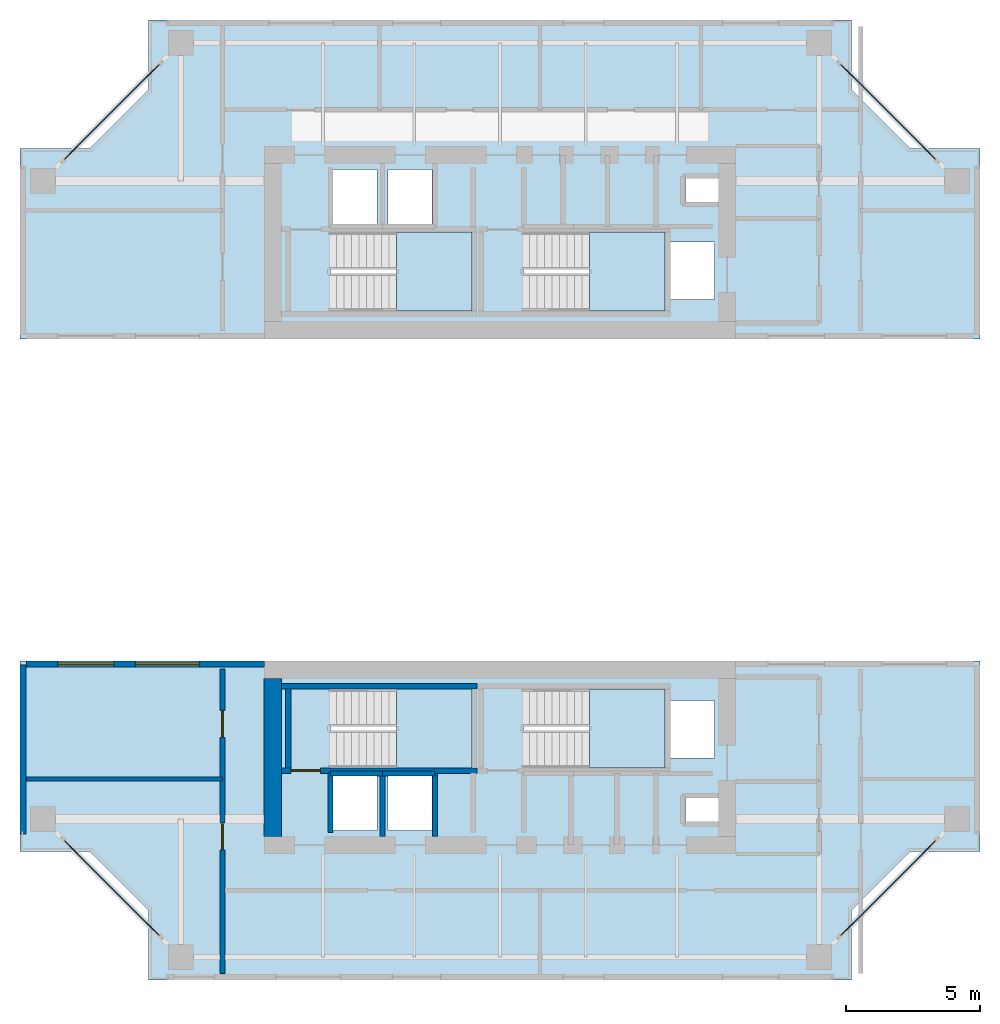
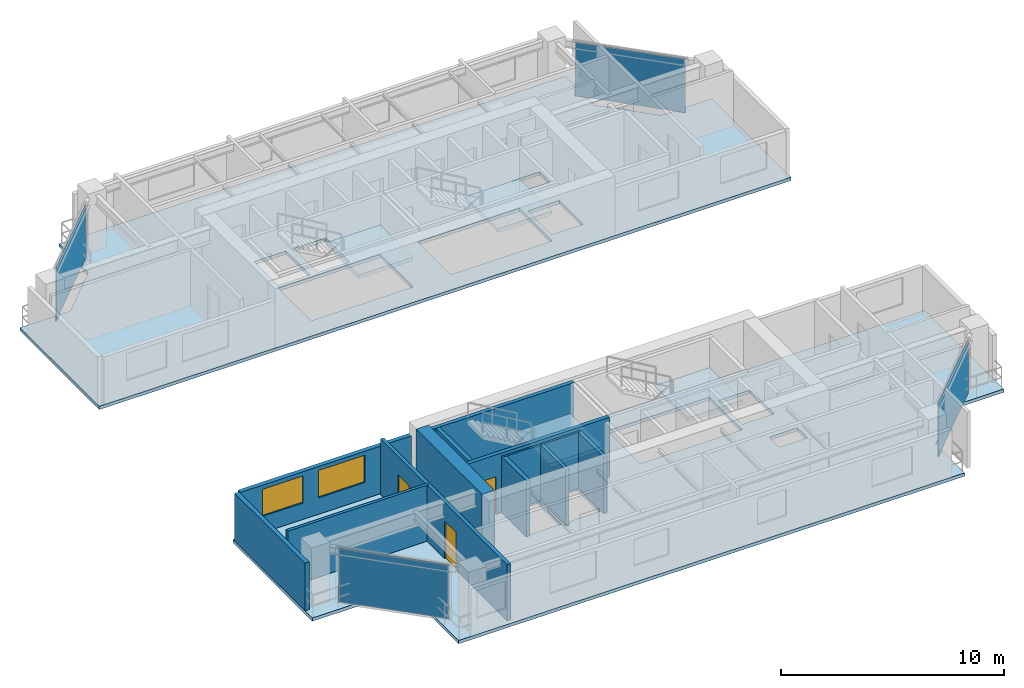
# One storey, part 6 of 12: 13 walls, 6 slabs, 4 plates, 3 doors, 2 windows, 5 openings, 8 elements without a shape of their own.
"""IFC4 building model written with IfcOpenShell, lengths in metres."""

from ifc_helpers import new_model, si_unit, direction, frame, frame_2d, origin, origin_2d, place, context, subcontext, project, spatial, polyline, rectangle, outline, extrude, source, transform, mapped, material, layer, layer_set, type_object, element, fill, aggregate, save


model = new_model("IFC4")

# Units and contexts
model_context = context("Model", 3, precision=1e-05, world=origin(), true_north=direction((0.0, 1.0)))
body_context = subcontext(model_context, "Body", "Model", "MODEL_VIEW")
ifc_project = project(units=[si_unit("LENGTHUNIT", "METRE"), si_unit("AREAUNIT", "SQUARE_METRE"), si_unit("VOLUMEUNIT", "CUBIC_METRE"), si_unit("PLANEANGLEUNIT", "RADIAN"), si_unit("MASSUNIT", "GRAM", prefix="KILO"), si_unit("THERMODYNAMICTEMPERATUREUNIT", "KELVIN"), si_unit("POWERUNIT", "WATT")], contexts=[model_context])

# Site, building, storey
site_placement = place(None, origin())
site = spatial("IfcSite", under=ifc_project, at=site_placement, CompositionType="ELEMENT")
building_placement = place(site_placement, origin())
building = spatial("IfcBuilding", under=site, at=building_placement, Name="Qiaomeng Ring Towers", CompositionType="ELEMENT")
storey_placement = place(building_placement, frame((0.0, 0.0, 163.25)))
storey = spatial("IfcBuildingStorey", under=building, at=storey_placement, Name="L47", CompositionType="ELEMENT", Elevation=163.25)

# Slabs
ifc_material_1 = material(Name="Concrete C40", Category="concrete")
ifc_layer_1 = layer(ifc_material_1, 0.179931640625, Name="Concrete C40")
ifc_layer_set_1 = layer_set([ifc_layer_1], Name="Concrete C40")
slab_type_1 = type_object("IfcSlabType", Name="STR-SL-180", PredefinedType="FLOOR", material=ifc_layer_set_1)
slab_1_placement = place(storey_placement, frame((0.0, 0.0, -0.179931640625)))
element("IfcSlab", 1, at=slab_1_placement, inside=storey, type_object=slab_type_1, Name="L47 Tower 1 North Portal Wing Slab", PredefinedType="FLOOR", context=body_context, shape_type="SweptSolid", body=[
    extrude(outline(polyline([(1.10009765625, 36.10009765625), (3.699951171875, 36.10009765625), (5.89990234375, 38.300048828125), (5.89990234375, 40.89990234375), (32.10009765625, 40.89990234375), (32.10009765625, 38.300048828125), (34.300048828125, 36.10009765625), (36.89990234375, 36.10009765625), (36.89990234375, 29.0), (1.10009765625, 29.0), (1.10009765625, 36.10009765625)]), holes=[polyline([(17.949951171875, 30.050048828125), (12.679931640625, 30.050048828125), (12.679931640625, 32.989990234375), (17.949951171875, 32.989990234375), (17.949951171875, 30.050048828125)]), polyline([(19.8798828125, 30.050048828125), (19.8798828125, 32.989990234375), (25.14990234375, 32.989990234375), (25.14990234375, 30.050048828125), (19.8798828125, 30.050048828125)]), polyline([(25.360107421875, 30.47998046875), (25.360107421875, 32.6201171875), (27.0, 32.6201171875), (27.0, 30.47998046875), (25.360107421875, 30.47998046875)]), polyline([(14.419921875, 33.179931640625), (12.780029296875, 33.179931640625), (12.780029296875, 35.320068359375), (14.419921875, 35.320068359375), (14.419921875, 33.179931640625)]), polyline([(14.830078125, 33.179931640625), (14.830078125, 35.320068359375), (16.469970703125, 35.320068359375), (16.469970703125, 33.179931640625), (14.830078125, 33.179931640625)]), polyline([(25.919921875, 34.10009765625), (25.919921875, 35.0), (27.360107421875, 35.0), (27.360107421875, 34.10009765625), (25.919921875, 34.10009765625)])]), origin(), (0.0, 0.0, 1.0), 0.179931640625),
])
slab_2_placement = place(storey_placement, frame((0.0, 0.0, -0.179931640625)))
element("IfcSlab", 2, at=slab_2_placement, inside=storey, type_object=slab_type_1, Name="L47 Tower 1 South Portal Wing Slab", PredefinedType="FLOOR", context=body_context, shape_type="SweptSolid", body=[
    extrude(outline(polyline([(36.89990234375, 9.89990234375), (34.300048828125, 9.89990234375), (32.10009765625, 7.699951171875), (32.10009765625, 5.10009765625), (5.89990234375, 5.10009765625), (5.89990234375, 7.699951171875), (3.699951171875, 9.89990234375), (1.10009765625, 9.89990234375), (1.10009765625, 17.0), (36.89990234375, 17.0), (36.89990234375, 9.89990234375)]), holes=[polyline([(27.360107421875, 11.0), (25.919921875, 11.0), (25.919921875, 11.89990234375), (27.360107421875, 11.89990234375), (27.360107421875, 11.0)]), polyline([(12.780029296875, 10.679931640625), (12.780029296875, 12.820068359375), (14.419921875, 12.820068359375), (14.419921875, 10.679931640625), (12.780029296875, 10.679931640625)]), polyline([(14.830078125, 10.679931640625), (14.830078125, 12.820068359375), (16.469970703125, 12.820068359375), (16.469970703125, 10.679931640625), (14.830078125, 10.679931640625)]), polyline([(27.0, 13.3798828125), (25.360107421875, 13.3798828125), (25.360107421875, 15.52001953125), (27.0, 15.52001953125), (27.0, 13.3798828125)]), polyline([(12.679931640625, 13.010009765625), (12.679931640625, 15.949951171875), (17.949951171875, 15.949951171875), (17.949951171875, 13.010009765625), (12.679931640625, 13.010009765625)]), polyline([(19.8798828125, 13.010009765625), (19.8798828125, 15.949951171875), (25.14990234375, 15.949951171875), (25.14990234375, 13.010009765625), (19.8798828125, 13.010009765625)])]), origin(), (0.0, 0.0, 1.0), 0.179931640625),
])

# Stair, slab
ifc_material_2 = material(Name="Precast concrete C40", Category="concrete")
stair_type = type_object("IfcStairType", Name="ARC-ST-325", PredefinedType="HALF_TURN_STAIR", material=ifc_material_2)
stair_1_placement = place(storey_placement, origin())
stair_1 = element("IfcStair", 3, at=stair_1_placement, inside=storey, type_object=stair_type, Name="L47 Tower 1 North Stair 1", PredefinedType="HALF_TURN_STAIR")
ifc_layer_2 = layer(ifc_material_1, 0.199951171875, Name="Concrete C40")
ifc_layer_set_2 = layer_set([ifc_layer_2], Name="Concrete C40")
slab_type_2 = type_object("IfcSlabType", Name="STR-SL-LANDING", PredefinedType="LANDING", material=ifc_layer_set_2)
slab_3_placement = place(storey_placement, frame((0.0, 0.0, 1.425048828125)))
slab_3 = element("IfcSlab", 4, at=slab_3_placement, type_object=slab_type_2, Name="ST1 landing 1", PredefinedType="LANDING", context=body_context, shape_type="SweptSolid", body=[
    extrude(outline(polyline([(15.139892578125, 30.050048828125), (17.949951171875, 30.050048828125), (17.949951171875, 32.989990234375), (15.139892578125, 32.989990234375), (15.139892578125, 30.050048828125)])), origin(), (0.0, 0.0, 1.0), 0.199951171875),
])
aggregate(stair_1, [slab_3])

stair_2_placement = place(storey_placement, origin())
stair_2 = element("IfcStair", 5, at=stair_2_placement, inside=storey, type_object=stair_type, Name="L47 Tower 1 North Stair 2", PredefinedType="HALF_TURN_STAIR")
slab_4_placement = place(storey_placement, frame((0.0, 0.0, 1.425048828125)))
slab_4 = element("IfcSlab", 6, at=slab_4_placement, type_object=slab_type_2, Name="ST2 landing 1", PredefinedType="LANDING", context=body_context, shape_type="SweptSolid", body=[
    extrude(outline(polyline([(22.340087890625, 30.050048828125), (25.14990234375, 30.050048828125), (25.14990234375, 32.989990234375), (22.340087890625, 32.989990234375), (22.340087890625, 30.050048828125)])), origin(), (0.0, 0.0, 1.0), 0.199951171875),
])
aggregate(stair_2, [slab_4])

stair_3_placement = place(storey_placement, origin())
stair_3 = element("IfcStair", 7, at=stair_3_placement, inside=storey, type_object=stair_type, Name="L47 Tower 1 South Stair 3", PredefinedType="HALF_TURN_STAIR")
slab_5_placement = place(storey_placement, frame((0.0, 0.0, 1.425048828125)))
slab_5 = element("IfcSlab", 8, at=slab_5_placement, type_object=slab_type_2, Name="ST3 landing 1", PredefinedType="LANDING", context=body_context, shape_type="SweptSolid", body=[
    extrude(outline(polyline([(15.139892578125, 13.010009765625), (17.949951171875, 13.010009765625), (17.949951171875, 15.949951171875), (15.139892578125, 15.949951171875), (15.139892578125, 13.010009765625)])), origin(), (0.0, 0.0, 1.0), 0.199951171875),
])
aggregate(stair_3, [slab_5])

stair_4_placement = place(storey_placement, origin())
stair_4 = element("IfcStair", 9, at=stair_4_placement, inside=storey, type_object=stair_type, Name="L47 Tower 1 South Stair 4", PredefinedType="HALF_TURN_STAIR")
slab_6_placement = place(storey_placement, frame((0.0, 0.0, 1.425048828125)))
slab_6 = element("IfcSlab", 10, at=slab_6_placement, type_object=slab_type_2, Name="ST4 landing 1", PredefinedType="LANDING", context=body_context, shape_type="SweptSolid", body=[
    extrude(outline(polyline([(22.340087890625, 13.010009765625), (25.14990234375, 13.010009765625), (25.14990234375, 15.949951171875), (22.340087890625, 15.949951171875), (22.340087890625, 13.010009765625)])), origin(), (0.0, 0.0, 1.0), 0.199951171875),
])
aggregate(stair_4, [slab_6])

# Curtain wall, plate
ifc_material_3 = material(Name="Fluorocarbon dark-grey aluminium", Category="aluminium")
ifc_layer_3 = layer(ifc_material_3, 0.14990234375, Name="Fluorocarbon dark-grey aluminium")
ifc_layer_set_3 = layer_set([ifc_layer_3], Name="Fluorocarbon dark-grey aluminium")
curtain_wall_type = type_object("IfcCurtainWallType", Name="ARC-CW-3", PredefinedType="NOTDEFINED", material=ifc_layer_set_3)
curtain_wall_1_placement = place(storey_placement, origin())
curtain_wall_1 = element("IfcCurtainWall", 11, at=curtain_wall_1_placement, inside=storey, type_object=curtain_wall_type, Name="L47 Curtain Wall CW3", PredefinedType="NOTDEFINED")
ifc_material_4 = material(Name="Low-E dark-grey laminated double glazing", Category="glass")
ifc_layer_4 = layer(ifc_material_4, 0.028076171875, Name="Low-E dark-grey laminated double glazing")
ifc_layer_set_4 = layer_set([ifc_layer_4], Name="Low-E dark-grey laminated double glazing")
plate_type = type_object("IfcPlateType", Name="ARC-CWP-DARK", PredefinedType="CURTAIN_PANEL", material=ifc_layer_set_4)
shared_shape_1 = source(origin(), body_context, "Body", "SweptSolid", [
    extrude(rectangle(XDim=5.120849609375, YDim=0.028076171875, at=origin_2d()), origin(), (0.0, 0.0, 1.0), 2.93994140625),
])
plate_1_placement = place(storey_placement, frame((33.47509765625, 8.52490234375, 0.06494140625), z_axis=(0.0, 0.0, 1.0), x_axis=(0.707106781187, 0.707106781187, 0.0)))
plate_1 = element("IfcPlate", 12, at=plate_1_placement, type_object=plate_type, Name="CW3 panel 1.1", PredefinedType="CURTAIN_PANEL", context=body_context, shape_type="MappedRepresentation", body=[
    mapped(shared_shape_1, transform((0.0, 0.0, 0.0), x_axis=(1.0, 0.0, 0.0), y_axis=(0.0, 1.0, 0.0), z_axis=(0.0, 0.0, 1.0), scale=1.0)),
])
aggregate(curtain_wall_1, [plate_1])

curtain_wall_2_placement = place(storey_placement, origin())
curtain_wall_2 = element("IfcCurtainWall", 13, at=curtain_wall_2_placement, inside=storey, type_object=curtain_wall_type, Name="L47 Curtain Wall CW3", PredefinedType="NOTDEFINED")
plate_2_placement = place(storey_placement, frame((33.47509765625, 37.47509765625, 0.06494140625), z_axis=(0.0, 0.0, 1.0), x_axis=(-0.707106781187, 0.707106781187, 0.0)))
plate_2 = element("IfcPlate", 14, at=plate_2_placement, type_object=plate_type, Name="CW3 panel 1.1", PredefinedType="CURTAIN_PANEL", context=body_context, shape_type="MappedRepresentation", body=[
    mapped(shared_shape_1, transform((0.0, 0.0, 0.0), x_axis=(1.0, 0.0, 0.0), y_axis=(0.0, 1.0, 0.0), z_axis=(0.0, 0.0, 1.0), scale=1.0)),
])
aggregate(curtain_wall_2, [plate_2])

curtain_wall_3_placement = place(storey_placement, origin())
curtain_wall_3 = element("IfcCurtainWall", 15, at=curtain_wall_3_placement, inside=storey, type_object=curtain_wall_type, Name="L47 Curtain Wall CW3", PredefinedType="NOTDEFINED")
plate_3_placement = place(storey_placement, frame((4.52490234375, 37.47509765625, 0.06494140625), z_axis=(0.0, 0.0, 1.0), x_axis=(-0.707106781187, -0.707106781187, 0.0)))
plate_3 = element("IfcPlate", 16, at=plate_3_placement, type_object=plate_type, Name="CW3 panel 1.1", PredefinedType="CURTAIN_PANEL", context=body_context, shape_type="MappedRepresentation", body=[
    mapped(shared_shape_1, transform((0.0, 0.0, 0.0), x_axis=(1.0, 0.0, 0.0), y_axis=(0.0, 1.0, 0.0), z_axis=(0.0, 0.0, 1.0), scale=1.0)),
])
aggregate(curtain_wall_3, [plate_3])

curtain_wall_4_placement = place(storey_placement, origin())
curtain_wall_4 = element("IfcCurtainWall", 17, at=curtain_wall_4_placement, inside=storey, type_object=curtain_wall_type, Name="L47 Curtain Wall CW3", PredefinedType="NOTDEFINED")
plate_4_placement = place(storey_placement, frame((4.52490234375, 8.52490234375, 0.06494140625), z_axis=(0.0, 0.0, 1.0), x_axis=(0.707106781187, -0.707106781187, 0.0)))
plate_4 = element("IfcPlate", 18, at=plate_4_placement, type_object=plate_type, Name="CW3 panel 1.1", PredefinedType="CURTAIN_PANEL", context=body_context, shape_type="MappedRepresentation", body=[
    mapped(shared_shape_1, transform((0.0, 0.0, 0.0), x_axis=(1.0, 0.0, 0.0), y_axis=(0.0, 1.0, 0.0), z_axis=(0.0, 0.0, 1.0), scale=1.0)),
])
aggregate(curtain_wall_4, [plate_4])

# Wall, openings, windows
ifc_layer_5 = layer(ifc_material_2, 0.219970703125, Name="Precast concrete C40")
ifc_layer_set_5 = layer_set([ifc_layer_5], Name="Precast concrete C40")
wall_type_1 = type_object("IfcWallType", Name="ARC-WL-EW2", PredefinedType="STANDARD", material=ifc_layer_set_5)
wall_1_placement = place(storey_placement, frame((1.35009765625, 16.889892578125, 0.0), z_axis=(0.0, 0.0, 1.0), x_axis=(1.0, 0.0, 0.0)))
wall_1 = element("IfcWall", 19, at=wall_1_placement, inside=storey, type_object=wall_type_1, Name="L47 Portal Wing Wall SWING-W", PredefinedType="STANDARD", context=body_context, shape_type="SweptSolid", body=[
    extrude(rectangle(XDim=8.869873046875, YDim=0.219970703125, at=frame_2d((4.43505859375, 0.0))), origin(), (0.0, 0.0, 1.0), 2.610107421875),
])
opening_1_placement = place(wall_1_placement, frame((1.14990234375, 0.0, 0.89990234375)))
opening_1 = element("IfcOpeningElement", 20, at=opening_1_placement, cuts=wall_1, Name="Opening WN4", PredefinedType="OPENING", context=body_context, shape_type="SweptSolid", body=[
    extrude(rectangle(XDim=2.10009765625, YDim=1.47998046875, at=frame_2d((1.050048828125, 0.739990234375))), frame((0.0, 0.119873046875, 0.0), z_axis=(0.0, -1.0, 0.0), x_axis=(1.0, 0.0, 0.0)), (0.0, 0.0, 1.0), 0.239990234375),
])
opening_2_placement = place(wall_1_placement, frame((4.050048828125, 0.0, 0.89990234375)))
opening_2 = element("IfcOpeningElement", 21, at=opening_2_placement, cuts=wall_1, Name="Opening WN6", PredefinedType="OPENING", context=body_context, shape_type="SweptSolid", body=[
    extrude(rectangle(XDim=2.39990234375, YDim=1.5, at=frame_2d((1.199951171875, 0.75))), frame((0.0, 0.119873046875, 0.0), z_axis=(0.0, -1.0, 0.0), x_axis=(1.0, 0.0, 0.0)), (0.0, 0.0, 1.0), 0.239990234375),
])
window_type_1 = type_object("IfcWindowType", Name="ARC-WN-4", PartitioningType="TRIPLE_PANEL_VERTICAL", PredefinedType="WINDOW", material=ifc_material_4)
shared_shape_2 = source(origin(), body_context, "Body", "SweptSolid", [
    extrude(rectangle(XDim=2.10009765625, YDim=1.47998046875, at=frame_2d((1.050048828125, 0.739990234375))), frame((0.0, 0.030029296875, 0.0), z_axis=(0.0, -1.0, 0.0), x_axis=(1.0, 0.0, 0.0)), (0.0, 0.0, 1.0), 0.06005859375),
])
window_1_placement = place(opening_1_placement, origin())
window_1 = element("IfcWindow", 22, at=window_1_placement, inside=storey, type_object=window_type_1, Name="L47 Exterior Window WN4", OverallHeight=1.47998046875, OverallWidth=2.10009765625, PartitioningType="TRIPLE_PANEL_VERTICAL", PredefinedType="WINDOW", context=body_context, shape_type="MappedRepresentation", body=[
    mapped(shared_shape_2, transform((0.0, 0.0, 0.0), x_axis=(1.0, 0.0, 0.0), y_axis=(0.0, 1.0, 0.0), z_axis=(0.0, 0.0, 1.0), scale=1.0)),
])
fill(opening_1, window_1)
window_type_2 = type_object("IfcWindowType", Name="ARC-WN-6", PartitioningType="TRIPLE_PANEL_VERTICAL", PredefinedType="WINDOW", material=ifc_material_4)
shared_shape_3 = source(origin(), body_context, "Body", "SweptSolid", [
    extrude(rectangle(XDim=2.39990234375, YDim=1.5, at=frame_2d((1.199951171875, 0.75))), frame((0.0, 0.030029296875, 0.0), z_axis=(0.0, -1.0, 0.0), x_axis=(1.0, 0.0, 0.0)), (0.0, 0.0, 1.0), 0.06005859375),
])
window_2_placement = place(opening_2_placement, origin())
window_2 = element("IfcWindow", 23, at=window_2_placement, inside=storey, type_object=window_type_2, Name="L47 Exterior Window WN6", OverallHeight=1.5, OverallWidth=2.39990234375, PartitioningType="TRIPLE_PANEL_VERTICAL", PredefinedType="WINDOW", context=body_context, shape_type="MappedRepresentation", body=[
    mapped(shared_shape_3, transform((0.0, 0.0, 0.0), x_axis=(1.0, 0.0, 0.0), y_axis=(0.0, 1.0, 0.0), z_axis=(0.0, 0.0, 1.0), scale=1.0)),
])
fill(opening_2, window_2)

# Walls
wall_2_placement = place(storey_placement, frame((1.2099609375, 10.550048828125, 0.0), z_axis=(0.0, 0.0, 1.0), x_axis=(0.0, 1.0, 0.0)))
element("IfcWall", 24, at=wall_2_placement, inside=storey, type_object=wall_type_1, Name="L47 Portal Wing Side Wall SWING-WL", PredefinedType="STANDARD", context=body_context, shape_type="SweptSolid", body=[
    extrude(rectangle(XDim=6.300048828125, YDim=0.219970703125, at=frame_2d((3.14990234375, 0.0))), origin(), (0.0, 0.0, 1.0), 2.610107421875),
])
ifc_material_5 = material(Name="Autoclaved aerated concrete block", Category="concrete")
ifc_layer_6 = layer(ifc_material_5, 0.199951171875, Name="Autoclaved aerated concrete block")
ifc_layer_set_6 = layer_set([ifc_layer_6], Name="Autoclaved aerated concrete block")
wall_type_2 = type_object("IfcWallType", Name="ARC-WL-PW1", PredefinedType="PARTITIONING", material=ifc_layer_set_6)
wall_3_placement = place(storey_placement, frame((12.679931640625, 10.60009765625, 0.0), z_axis=(0.0, 0.0, 1.0), x_axis=(0.0, 1.0, 0.0)))
element("IfcWall", 25, at=wall_3_placement, inside=storey, type_object=wall_type_2, Name="L47 Interior Wall PW1", PredefinedType="PARTITIONING", context=body_context, shape_type="SweptSolid", body=[
    extrude(rectangle(XDim=2.2099609375, YDim=0.199951171875, at=frame_2d((1.10498046875, 0.0))), origin(), (0.0, 0.0, 1.0), 3.070068359375),
])

# Wall, openings, doors
ifc_layer_7 = layer(ifc_material_5, 0.179931640625, Name="Autoclaved aerated concrete block")
ifc_layer_set_7 = layer_set([ifc_layer_7], Name="Autoclaved aerated concrete block")
wall_type_3 = type_object("IfcWallType", Name="ARC-WL-PW2", PredefinedType="PARTITIONING", material=ifc_layer_set_7)
wall_4_placement = place(storey_placement, frame((8.64990234375, 5.35009765625, 0.0), z_axis=(0.0, 0.0, 1.0), x_axis=(0.0, 1.0, 0.0)))
wall_4 = element("IfcWall", 26, at=wall_4_placement, inside=storey, type_object=wall_type_3, Name="L47 Interior Wall PW2", PredefinedType="PARTITIONING", context=body_context, shape_type="SweptSolid", body=[
    extrude(rectangle(XDim=11.349853515625, YDim=0.179931640625, at=frame_2d((5.6748046875, 0.0))), origin(), (0.0, 0.0, 1.0), 3.070068359375),
])
opening_3_placement = place(wall_4_placement, frame((4.60009765625, 0.0, 0.0)))
opening_3 = element("IfcOpeningElement", 27, at=opening_3_placement, cuts=wall_4, Name="Opening FD4", PredefinedType="OPENING", context=body_context, shape_type="SweptSolid", body=[
    extrude(rectangle(XDim=1.0, YDim=2.050048828125, at=frame_2d((0.5, 1.02490234375))), frame((0.0, 0.099853515625, 0.0), z_axis=(0.0, -1.0, 0.0), x_axis=(1.0, 0.0, 0.0)), (0.0, 0.0, 1.0), 0.199951171875),
])
opening_4_placement = place(wall_4_placement, frame((8.800048828125, 0.0, 0.0)))
opening_4 = element("IfcOpeningElement", 28, at=opening_4_placement, cuts=wall_4, Name="Opening FD4", PredefinedType="OPENING", context=body_context, shape_type="SweptSolid", body=[
    extrude(rectangle(XDim=1.0, YDim=2.050048828125, at=frame_2d((0.5, 1.02490234375))), frame((0.0, 0.099853515625, 0.0), z_axis=(0.0, -1.0, 0.0), x_axis=(1.0, 0.0, 0.0)), (0.0, 0.0, 1.0), 0.199951171875),
])
ifc_material_6 = material(Name="Engineered fire-rated oak timber", Category="wood")
door_type_1 = type_object("IfcDoorType", Name="ARC-DR-FD4", OperationType="NOTDEFINED", PredefinedType="DOOR", material=ifc_material_6)
shared_shape_4 = source(origin(), body_context, "Body", "SweptSolid", [
    extrude(rectangle(XDim=1.0, YDim=2.050048828125, at=frame_2d((0.5, 1.02490234375))), frame((0.0, 0.02490234375, 0.0), z_axis=(0.0, -1.0, 0.0), x_axis=(1.0, 0.0, 0.0)), (0.0, 0.0, 1.0), 0.050048828125),
])
door_1_placement = place(opening_3_placement, origin())
door_1 = element("IfcDoor", 29, at=door_1_placement, inside=storey, type_object=door_type_1, Name="L47 Door FD4", OperationType="SINGLE_SWING_LEFT", OverallHeight=2.050048828125, OverallWidth=1.0, PredefinedType="DOOR", context=body_context, shape_type="MappedRepresentation", body=[
    mapped(shared_shape_4, transform((0.0, 0.0, 0.0), x_axis=(1.0, 0.0, 0.0), y_axis=(0.0, 1.0, 0.0), z_axis=(0.0, 0.0, 1.0), scale=1.0)),
])
fill(opening_3, door_1)
door_2_placement = place(opening_4_placement, origin())
door_2 = element("IfcDoor", 30, at=door_2_placement, inside=storey, type_object=door_type_1, Name="L47 Door FD4", OperationType="SINGLE_SWING_RIGHT", OverallHeight=2.050048828125, OverallWidth=1.0, PredefinedType="DOOR", context=body_context, shape_type="MappedRepresentation", body=[
    mapped(shared_shape_4, transform((0.0, 0.0, 0.0), x_axis=(1.0, 0.0, 0.0), y_axis=(0.0, 1.0, 0.0), z_axis=(0.0, 0.0, 1.0), scale=1.0)),
])
fill(opening_4, door_2)

# Walls
ifc_material_7 = material(Name="Gypsum fireboard steel-stud partition", Category="steel")
ifc_layer_8 = layer(ifc_material_7, 0.14990234375, Name="Gypsum fireboard steel-stud partition")
ifc_layer_set_8 = layer_set([ifc_layer_8], Name="Gypsum fireboard steel-stud partition")
wall_type_4 = type_object("IfcWallType", Name="ARC-WL-PW3", PredefinedType="PARTITIONING", material=ifc_layer_set_8)
wall_5_placement = place(storey_placement, frame((1.35009765625, 12.60009765625, 0.0), z_axis=(0.0, 0.0, 1.0), x_axis=(1.0, 0.0, 0.0)))
element("IfcWall", 31, at=wall_5_placement, inside=storey, type_object=wall_type_4, Name="L47 Interior Wall PW3", PredefinedType="PARTITIONING", context=body_context, shape_type="SweptSolid", body=[
    extrude(rectangle(XDim=7.2998046875, YDim=0.14990234375, at=frame_2d((3.64990234375, 0.0))), origin(), (0.0, 0.0, 1.0), 3.070068359375),
])
ifc_layer_9 = layer(ifc_material_1, 0.199951171875, Name="Concrete C40")
ifc_layer_set_9 = layer_set([ifc_layer_9], Name="Concrete C40")
wall_type_5 = type_object("IfcWallType", Name="STR-WL-STSHAFT", PredefinedType="SHEAR", material=ifc_layer_set_9)
wall_6_placement = place(storey_placement, frame((12.679931640625, 12.800048828125, 0.0), z_axis=(0.0, 0.0, 1.0), x_axis=(1.0, 0.0, 0.0)))
element("IfcWall", 32, at=wall_6_placement, inside=storey, type_object=wall_type_5, Name="L47 Lift LP6 Shaft Back Wall", PredefinedType="SHEAR", context=body_context, shape_type="SweptSolid", body=[
    extrude(rectangle(XDim=1.940185546875, YDim=0.179931640625, at=frame_2d((0.97021484375, 0.0))), origin(), (0.0, 0.0, 1.0), 3.070068359375),
])
wall_7_placement = place(storey_placement, frame((14.6201171875, 10.449951171875, 0.0), z_axis=(0.0, 0.0, 1.0), x_axis=(0.0, 1.0, 0.0)))
element("IfcWall", 33, at=wall_7_placement, inside=storey, type_object=wall_type_5, Name="L47 Lift LP6-LP4 Shaft Divider Wall", PredefinedType="SHEAR", context=body_context, shape_type="SweptSolid", body=[
    extrude(rectangle(XDim=2.35009765625, YDim=0.179931640625, at=frame_2d((1.175048828125, 0.0))), origin(), (0.0, 0.0, 1.0), 3.070068359375),
])
wall_8_placement = place(storey_placement, frame((14.6201171875, 12.800048828125, 0.0), z_axis=(0.0, 0.0, 1.0), x_axis=(1.0, 0.0, 0.0)))
element("IfcWall", 34, at=wall_8_placement, inside=storey, type_object=wall_type_5, Name="L47 Lift LP4 Shaft Back Wall", PredefinedType="SHEAR", context=body_context, shape_type="SweptSolid", body=[
    extrude(rectangle(XDim=1.9599609375, YDim=0.179931640625, at=frame_2d((0.97998046875, 0.0))), origin(), (0.0, 0.0, 1.0), 3.070068359375),
])
wall_9_placement = place(storey_placement, frame((16.580078125, 10.449951171875, 0.0), z_axis=(0.0, 0.0, 1.0), x_axis=(0.0, 1.0, 0.0)))
element("IfcWall", 35, at=wall_9_placement, inside=storey, type_object=wall_type_5, Name="L47 Lift LP4 East Shaft Wall", PredefinedType="SHEAR", context=body_context, shape_type="SweptSolid", body=[
    extrude(rectangle(XDim=2.35009765625, YDim=0.179931640625, at=frame_2d((1.175048828125, 0.0))), origin(), (0.0, 0.0, 1.0), 3.070068359375),
])

# Wall, opening, door
wall_10_placement = place(storey_placement, frame((10.85009765625, 12.909912109375, 0.0), z_axis=(0.0, 0.0, 1.0), x_axis=(1.0, 0.0, 0.0)))
wall_10 = element("IfcWall", 36, at=wall_10_placement, inside=storey, type_object=wall_type_5, Name="L47 Stair ST3 South Shaft Shear Wall", PredefinedType="SHEAR", context=body_context, shape_type="SweptSolid", body=[
    extrude(rectangle(XDim=7.2998046875, YDim=0.199951171875, at=frame_2d((3.64990234375, 0.0))), origin(), (0.0, 0.0, 1.0), 3.25),
])
opening_5_placement = place(wall_10_placement, frame((0.35009765625, 0.0, 0.0)))
opening_5 = element("IfcOpeningElement", 37, at=opening_5_placement, cuts=wall_10, Name="Opening FD3", PredefinedType="OPENING", context=body_context, shape_type="SweptSolid", body=[
    extrude(rectangle(XDim=1.10009765625, YDim=2.050048828125, at=frame_2d((0.550048828125, 1.02490234375))), frame((0.0, 0.10986328125, 0.0), z_axis=(0.0, -1.0, 0.0), x_axis=(1.0, 0.0, 0.0)), (0.0, 0.0, 1.0), 0.219970703125),
])
ifc_material_8 = material(Name="Galvanised steel", Category="steel")
door_type_2 = type_object("IfcDoorType", Name="ARC-DR-FD3", OperationType="NOTDEFINED", PredefinedType="DOOR", material=ifc_material_8)
shared_shape_5 = source(origin(), body_context, "Body", "SweptSolid", [
    extrude(rectangle(XDim=1.10009765625, YDim=2.050048828125, at=frame_2d((0.550048828125, 1.02490234375))), frame((0.0, 0.02490234375, 0.0), z_axis=(0.0, -1.0, 0.0), x_axis=(1.0, 0.0, 0.0)), (0.0, 0.0, 1.0), 0.050048828125),
])
door_3_placement = place(opening_5_placement, frame((1.10009765625, 0.0, 0.0), z_axis=(0.0, 0.0, 1.0), x_axis=(-1.0, 0.0, 0.0)))
door_3 = element("IfcDoor", 38, at=door_3_placement, inside=storey, type_object=door_type_2, Name="L47 Stair ST3 Exit Door", OperationType="SINGLE_SWING_RIGHT", OverallHeight=2.050048828125, OverallWidth=1.10009765625, PredefinedType="DOOR", context=body_context, shape_type="MappedRepresentation", body=[
    mapped(shared_shape_5, transform((0.0, 0.0, 0.0), x_axis=(1.0, 0.0, 0.0), y_axis=(0.0, 1.0, 0.0), z_axis=(0.0, 0.0, 1.0), scale=1.0)),
])
fill(opening_5, door_3)

# Walls
wall_11_placement = place(storey_placement, frame((10.85009765625, 16.050048828125, 0.0), z_axis=(0.0, 0.0, 1.0), x_axis=(1.0, 0.0, 0.0)))
element("IfcWall", 39, at=wall_11_placement, inside=storey, type_object=wall_type_5, Name="L47 Stair ST3 North Shaft Shear Wall", PredefinedType="SHEAR", context=body_context, shape_type="SweptSolid", body=[
    extrude(rectangle(XDim=7.2998046875, YDim=0.199951171875, at=frame_2d((3.64990234375, 0.0))), origin(), (0.0, 0.0, 1.0), 3.25),
])
wall_12_placement = place(storey_placement, frame((11.10009765625, 13.010009765625, 0.0), z_axis=(0.0, 0.0, 1.0), x_axis=(0.0, 1.0, 0.0)))
element("IfcWall", 40, at=wall_12_placement, inside=storey, type_object=wall_type_5, Name="L47 Stair ST3 West Shaft Shear Wall", PredefinedType="SHEAR", context=body_context, shape_type="SweptSolid", body=[
    extrude(rectangle(XDim=2.93994140625, YDim=0.199951171875, at=frame_2d((1.469970703125, 0.0))), origin(), (0.0, 0.0, 1.0), 3.25),
])
ifc_material_9 = material(Name="Concrete C50", Category="concrete")
ifc_layer_10 = layer(ifc_material_9, 0.64990234375, Name="Concrete C50")
ifc_layer_set_10 = layer_set([ifc_layer_10], Name="Concrete C50")
wall_type_6 = type_object("IfcWallType", Name="STR-WL-SW2B", PredefinedType="SHEAR", material=ifc_layer_set_10)
wall_13_placement = place(storey_placement, frame((10.52490234375, 10.449951171875, 0.0), z_axis=(0.0, 0.0, 1.0), x_axis=(0.0, 1.0, 0.0)))
element("IfcWall", 41, at=wall_13_placement, inside=storey, type_object=wall_type_6, Name="L47 T1SC west core shear wall", PredefinedType="SHEAR", context=body_context, shape_type="SweptSolid", body=[
    extrude(rectangle(XDim=5.900146484375, YDim=0.64990234375, at=frame_2d((2.9501953125, 0.0))), origin(), (0.0, 0.0, 1.0), 3.25),
])

save(model, "model.ifc")
